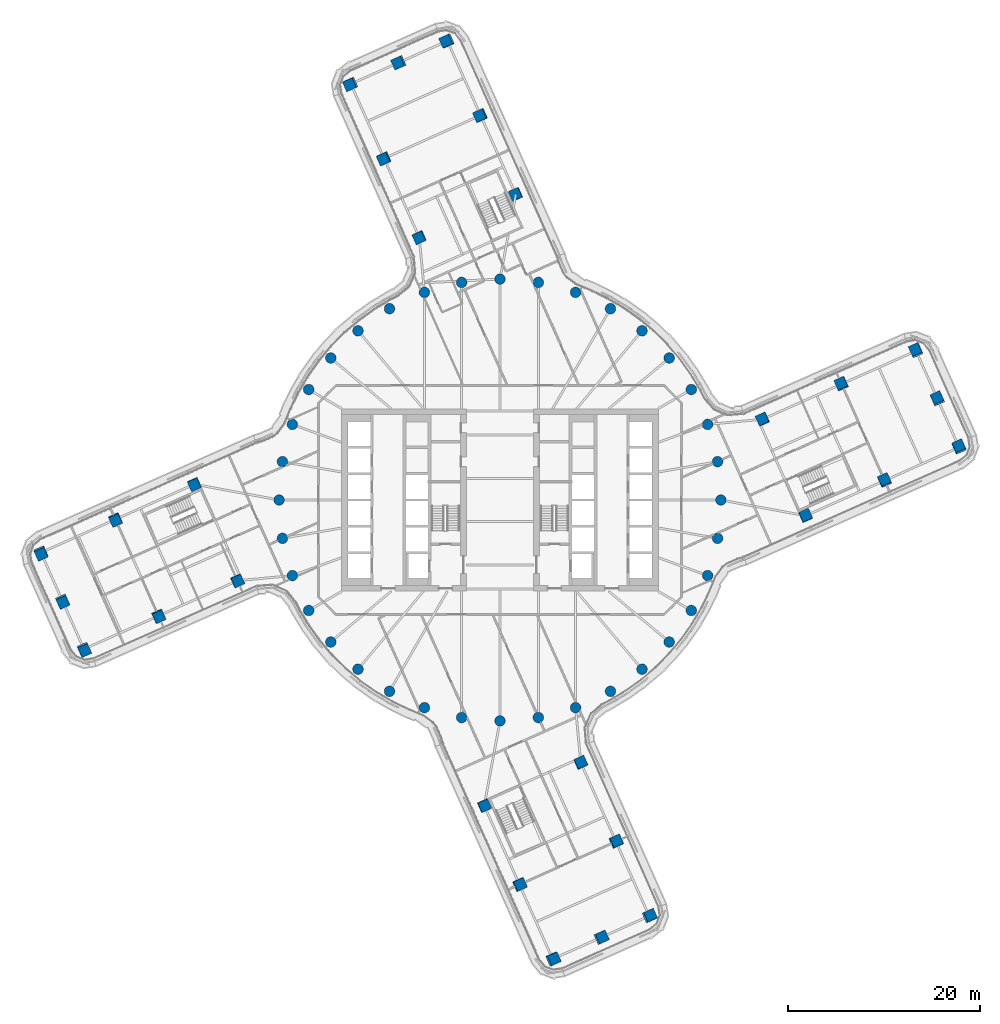
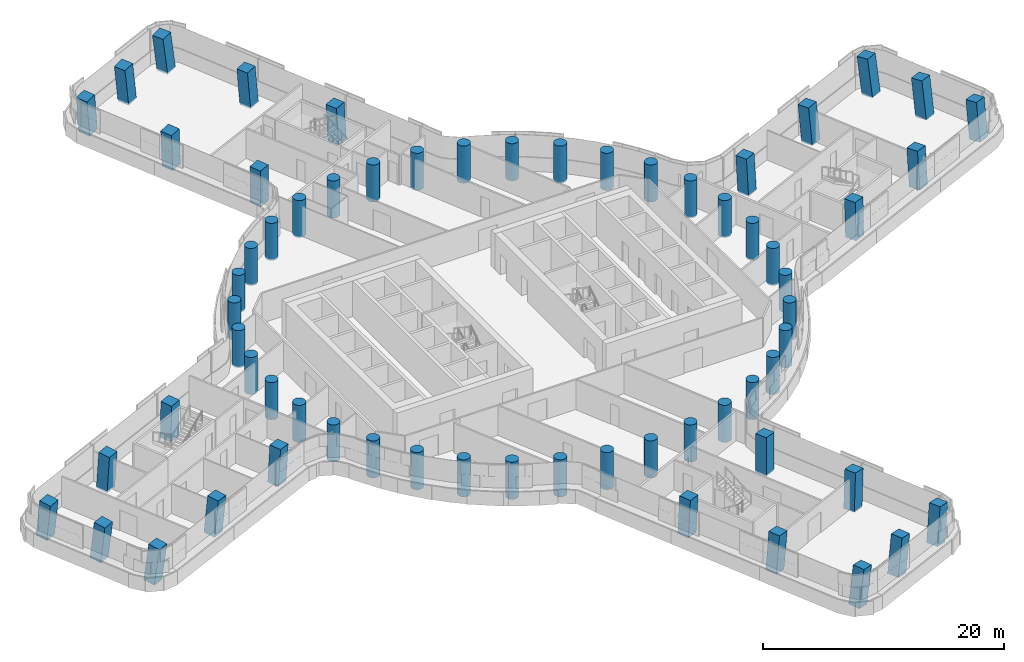
# One storey, part 1 of 35: 64 columns.
"""IFC4 building model written with IfcOpenShell, lengths in metres."""

from ifc_helpers import new_model, si_unit, direction, frame, origin, origin_2d, place, context, subcontext, project, spatial, rectangle, circle, extrude, material, material_profile, profile_set, type_object, element, save


model = new_model("IFC4")

# Units and contexts
model_context = context("Model", 3, precision=1e-05, world=origin(), true_north=direction((0.0, 1.0)))
body_context = subcontext(model_context, "Body", "Model", "MODEL_VIEW")
ifc_project = project(units=[si_unit("LENGTHUNIT", "METRE"), si_unit("AREAUNIT", "SQUARE_METRE"), si_unit("VOLUMEUNIT", "CUBIC_METRE"), si_unit("PLANEANGLEUNIT", "RADIAN"), si_unit("MASSUNIT", "GRAM", prefix="KILO")], contexts=[model_context])

# Site, building, storey
site_placement = place(None, origin())
site = spatial("IfcSite", under=ifc_project, at=site_placement, CompositionType="ELEMENT")
building_placement = place(site_placement, origin())
building = spatial("IfcBuilding", under=site, at=building_placement, Name="Tamarind Cross Interchange Tower", CompositionType="ELEMENT")
storey_placement = place(building_placement, frame((0.0, 0.0, 121.0)))
storey = spatial("IfcBuildingStorey", under=building, at=storey_placement, Name="L29", CompositionType="ELEMENT", Elevation=121.0)

# Columns
ifc_material = material(Name="Concrete C65", Category="concrete")
ifc_material_profile_1 = material_profile(ifc_material, rectangle(XDim=1.10009765625, YDim=1.10009765625, at=origin_2d()), Name="RC 1100x1100")
ifc_profile_set_1 = profile_set([ifc_material_profile_1], Name="Concrete C65")
column_type_1 = type_object("IfcColumnType", Name="Column RC 1100x1100 Concrete C65", PredefinedType="COLUMN", material=ifc_profile_set_1)
for number, where, z_axis, x_axis, name in (
    (1, (35.560791015625, 12.068359375, -0.138427734375), (-0.059065196945, 0.065166437068, 0.996124810448), (0.404734207537, -0.910607585336, 0.083570609535), "Column L29-036"),
    (2, (40.040283203125, 2.021728515625, -0.138427734375), (-0.010579821635, 0.087299755212, 0.996125905754), (-0.913512106157, -0.405987631448, 0.02587807982), "Column L29-037"),
):
    element("IfcColumn", number, at=place(storey_placement, frame(where, z_axis=z_axis, x_axis=x_axis)), inside=storey, type_object=column_type_1, Name=name, PredefinedType="COLUMN", context=body_context, shape_type="SweptSolid", body=[
        extrude(rectangle(XDim=1.10009765625, YDim=1.10009765625, at=origin_2d()), origin(), (0.0, 0.0, 1.0), 3.761474609375),
    ])
for number, where, z_axis, x_axis, name in (
    (3, (27.3408203125, 8.4033203125, -0.138671875), (-0.041062040178, 0.025574297607, 0.998829246748), (0.406417320659, -0.912808074719, 0.040079673119), "Column L29-038"),
    (4, (31.8203125, -1.643310546875, -0.138671875), (0.007548654001, 0.047764758938, 0.998830088467), (-0.913251168501, -0.40654439201, 0.026343131102), "Column L29-039"),
):
    element("IfcColumn", number, at=place(storey_placement, frame(where, z_axis=z_axis, x_axis=x_axis)), inside=storey, type_object=column_type_1, Name=name, PredefinedType="COLUMN", context=body_context, shape_type="SweptSolid", body=[
        extrude(rectangle(XDim=1.10009765625, YDim=1.10009765625, at=origin_2d()), origin(), (0.0, 0.0, 1.0), 3.751708984375),
    ])
column_1_placement = place(storey_placement, frame((47.7958984375, 5.479736328125, -0.138427734375), z_axis=(-0.017444836302, 0.128833346618, 0.99151280702), x_axis=(-0.913614720906, -0.404935626302, 0.036541487306)))
element("IfcColumn", 5, at=column_1_placement, inside=storey, type_object=column_type_1, Name="Column L29-040", PredefinedType="COLUMN", context=body_context, shape_type="SweptSolid", body=[
    extrude(rectangle(XDim=1.10009765625, YDim=1.10009765625, at=origin_2d()), origin(), (0.0, 0.0, 1.0), 3.778564453125),
])
column_2_placement = place(storey_placement, frame((45.55615234375, 10.5029296875, -0.138671875), z_axis=(-0.041633202385, 0.117917641539, 0.9921502438), x_axis=(-0.913389360247, -0.40696324454, 0.010039630549)))
element("IfcColumn", 6, at=column_2_placement, inside=storey, type_object=column_type_1, Name="Column L29-041", PredefinedType="COLUMN", context=body_context, shape_type="SweptSolid", body=[
    extrude(rectangle(XDim=1.10009765625, YDim=1.10009765625, at=origin_2d()), origin(), (0.0, 0.0, 1.0), 3.7763671875),
])
column_3_placement = place(storey_placement, frame((43.31640625, 15.5263671875, -0.138671875), z_axis=(-0.06573919426, 0.106850430789, 0.992099462644), x_axis=(0.403391226229, -0.906536741618, 0.124365005927)))
element("IfcColumn", 7, at=column_3_placement, inside=storey, type_object=column_type_1, Name="Column L29-042", PredefinedType="COLUMN", context=body_context, shape_type="SweptSolid", body=[
    extrude(rectangle(XDim=1.10009765625, YDim=1.10009765625, at=origin_2d()), origin(), (0.0, 0.0, 1.0), 3.77685546875),
])
for number, where, z_axis, x_axis, name in (
    (8, (-12.068359375, 35.560791015625, -0.138427734375), (-0.065166437068, -0.059065196945, 0.996124810448), (0.910607585336, 0.404734207537, 0.083570609535), "Column L29-043"),
    (9, (-2.021728515625, 40.040283203125, -0.138427734375), (-0.087299755212, -0.010579821635, 0.996125905754), (0.405987631448, -0.913512106157, 0.02587807982), "Column L29-044"),
):
    element("IfcColumn", number, at=place(storey_placement, frame(where, z_axis=z_axis, x_axis=x_axis)), inside=storey, type_object=column_type_1, Name=name, PredefinedType="COLUMN", context=body_context, shape_type="SweptSolid", body=[
        extrude(rectangle(XDim=1.10009765625, YDim=1.10009765625, at=origin_2d()), origin(), (0.0, 0.0, 1.0), 3.761474609375),
    ])
for number, where, z_axis, x_axis, name in (
    (10, (-8.4033203125, 27.3408203125, -0.138671875), (-0.025574297607, -0.041062040178, 0.998829246748), (0.912808074719, 0.406417320659, 0.040079673119), "Column L29-045"),
    (11, (1.643310546875, 31.8203125, -0.138671875), (-0.047764758938, 0.007548654001, 0.998830088467), (0.40654439201, -0.913251168501, 0.026343131102), "Column L29-046"),
):
    element("IfcColumn", number, at=place(storey_placement, frame(where, z_axis=z_axis, x_axis=x_axis)), inside=storey, type_object=column_type_1, Name=name, PredefinedType="COLUMN", context=body_context, shape_type="SweptSolid", body=[
        extrude(rectangle(XDim=1.10009765625, YDim=1.10009765625, at=origin_2d()), origin(), (0.0, 0.0, 1.0), 3.751708984375),
    ])
column_4_placement = place(storey_placement, frame((-5.479736328125, 47.7958984375, -0.138427734375), z_axis=(-0.128833346618, -0.017444836302, 0.99151280702), x_axis=(0.404935626302, -0.913614720906, 0.036541487306)))
element("IfcColumn", 12, at=column_4_placement, inside=storey, type_object=column_type_1, Name="Column L29-047", PredefinedType="COLUMN", context=body_context, shape_type="SweptSolid", body=[
    extrude(rectangle(XDim=1.10009765625, YDim=1.10009765625, at=origin_2d()), origin(), (0.0, 0.0, 1.0), 3.778564453125),
])
column_5_placement = place(storey_placement, frame((-10.5029296875, 45.55615234375, -0.138671875), z_axis=(-0.117917641539, -0.041633202385, 0.9921502438), x_axis=(0.40696324454, -0.913389360247, 0.010039630549)))
element("IfcColumn", 13, at=column_5_placement, inside=storey, type_object=column_type_1, Name="Column L29-048", PredefinedType="COLUMN", context=body_context, shape_type="SweptSolid", body=[
    extrude(rectangle(XDim=1.10009765625, YDim=1.10009765625, at=origin_2d()), origin(), (0.0, 0.0, 1.0), 3.7763671875),
])
column_6_placement = place(storey_placement, frame((-15.5263671875, 43.31640625, -0.138671875), z_axis=(-0.106850430789, -0.06573919426, 0.992099462644), x_axis=(0.906536741618, 0.403391226229, 0.124365005927)))
element("IfcColumn", 14, at=column_6_placement, inside=storey, type_object=column_type_1, Name="Column L29-049", PredefinedType="COLUMN", context=body_context, shape_type="SweptSolid", body=[
    extrude(rectangle(XDim=1.10009765625, YDim=1.10009765625, at=origin_2d()), origin(), (0.0, 0.0, 1.0), 3.77685546875),
])
for number, where, z_axis, x_axis, name in (
    (15, (-35.560791015625, -12.068359375, -0.138427734375), (0.059065196945, -0.065166437068, 0.996124810448), (-0.404734207537, 0.910607585336, 0.083570609535), "Column L29-050"),
    (16, (-40.040283203125, -2.021728515625, -0.138427734375), (0.010579821635, -0.087299755212, 0.996125905754), (0.913512106157, 0.405987631448, 0.02587807982), "Column L29-051"),
):
    element("IfcColumn", number, at=place(storey_placement, frame(where, z_axis=z_axis, x_axis=x_axis)), inside=storey, type_object=column_type_1, Name=name, PredefinedType="COLUMN", context=body_context, shape_type="SweptSolid", body=[
        extrude(rectangle(XDim=1.10009765625, YDim=1.10009765625, at=origin_2d()), origin(), (0.0, 0.0, 1.0), 3.761474609375),
    ])
for number, where, z_axis, x_axis, name in (
    (17, (-27.3408203125, -8.4033203125, -0.138671875), (0.041062040178, -0.025574297607, 0.998829246748), (-0.406417320659, 0.912808074719, 0.040079673119), "Column L29-052"),
    (18, (-31.8203125, 1.643310546875, -0.138671875), (-0.007548654001, -0.047764758938, 0.998830088467), (0.913251168501, 0.40654439201, 0.026343131102), "Column L29-053"),
):
    element("IfcColumn", number, at=place(storey_placement, frame(where, z_axis=z_axis, x_axis=x_axis)), inside=storey, type_object=column_type_1, Name=name, PredefinedType="COLUMN", context=body_context, shape_type="SweptSolid", body=[
        extrude(rectangle(XDim=1.10009765625, YDim=1.10009765625, at=origin_2d()), origin(), (0.0, 0.0, 1.0), 3.751708984375),
    ])
column_7_placement = place(storey_placement, frame((-47.7958984375, -5.479736328125, -0.138427734375), z_axis=(0.017444836302, -0.128833346618, 0.99151280702), x_axis=(0.913614720906, 0.404935626302, 0.036541487306)))
element("IfcColumn", 19, at=column_7_placement, inside=storey, type_object=column_type_1, Name="Column L29-054", PredefinedType="COLUMN", context=body_context, shape_type="SweptSolid", body=[
    extrude(rectangle(XDim=1.10009765625, YDim=1.10009765625, at=origin_2d()), origin(), (0.0, 0.0, 1.0), 3.778564453125),
])
column_8_placement = place(storey_placement, frame((-45.55615234375, -10.5029296875, -0.138671875), z_axis=(0.041633202385, -0.117917641539, 0.9921502438), x_axis=(0.913389360247, 0.40696324454, 0.010039630549)))
element("IfcColumn", 20, at=column_8_placement, inside=storey, type_object=column_type_1, Name="Column L29-055", PredefinedType="COLUMN", context=body_context, shape_type="SweptSolid", body=[
    extrude(rectangle(XDim=1.10009765625, YDim=1.10009765625, at=origin_2d()), origin(), (0.0, 0.0, 1.0), 3.7763671875),
])
column_9_placement = place(storey_placement, frame((-43.31640625, -15.5263671875, -0.138671875), z_axis=(0.06573919426, -0.106850430789, 0.992099462644), x_axis=(-0.403391226229, 0.906536741618, 0.124365005927)))
element("IfcColumn", 21, at=column_9_placement, inside=storey, type_object=column_type_1, Name="Column L29-056", PredefinedType="COLUMN", context=body_context, shape_type="SweptSolid", body=[
    extrude(rectangle(XDim=1.10009765625, YDim=1.10009765625, at=origin_2d()), origin(), (0.0, 0.0, 1.0), 3.77685546875),
])
for number, where, z_axis, x_axis, name in (
    (22, (12.068359375, -35.560791015625, -0.138427734375), (0.065166437068, 0.059065196945, 0.996124810448), (-0.910607585336, -0.404734207537, 0.083570609535), "Column L29-057"),
    (23, (2.021728515625, -40.040283203125, -0.138427734375), (0.087299755212, 0.010579821635, 0.996125905754), (-0.405987631448, 0.913512106157, 0.02587807982), "Column L29-058"),
):
    element("IfcColumn", number, at=place(storey_placement, frame(where, z_axis=z_axis, x_axis=x_axis)), inside=storey, type_object=column_type_1, Name=name, PredefinedType="COLUMN", context=body_context, shape_type="SweptSolid", body=[
        extrude(rectangle(XDim=1.10009765625, YDim=1.10009765625, at=origin_2d()), origin(), (0.0, 0.0, 1.0), 3.761474609375),
    ])
for number, where, z_axis, x_axis, name in (
    (24, (8.4033203125, -27.3408203125, -0.138671875), (0.025574297607, 0.041062040178, 0.998829246748), (-0.912808074719, -0.406417320659, 0.040079673119), "Column L29-059"),
    (25, (-1.643310546875, -31.8203125, -0.138671875), (0.047764758938, -0.007548654001, 0.998830088467), (-0.40654439201, 0.913251168501, 0.026343131102), "Column L29-060"),
):
    element("IfcColumn", number, at=place(storey_placement, frame(where, z_axis=z_axis, x_axis=x_axis)), inside=storey, type_object=column_type_1, Name=name, PredefinedType="COLUMN", context=body_context, shape_type="SweptSolid", body=[
        extrude(rectangle(XDim=1.10009765625, YDim=1.10009765625, at=origin_2d()), origin(), (0.0, 0.0, 1.0), 3.751708984375),
    ])
column_10_placement = place(storey_placement, frame((5.479736328125, -47.7958984375, -0.138427734375), z_axis=(0.128833346618, 0.017444836302, 0.99151280702), x_axis=(-0.404935626302, 0.913614720906, 0.036541487306)))
element("IfcColumn", 26, at=column_10_placement, inside=storey, type_object=column_type_1, Name="Column L29-061", PredefinedType="COLUMN", context=body_context, shape_type="SweptSolid", body=[
    extrude(rectangle(XDim=1.10009765625, YDim=1.10009765625, at=origin_2d()), origin(), (0.0, 0.0, 1.0), 3.778564453125),
])
column_11_placement = place(storey_placement, frame((10.5029296875, -45.55615234375, -0.138671875), z_axis=(0.117917641539, 0.041633202385, 0.9921502438), x_axis=(-0.40696324454, 0.913389360247, 0.010039630549)))
element("IfcColumn", 27, at=column_11_placement, inside=storey, type_object=column_type_1, Name="Column L29-062", PredefinedType="COLUMN", context=body_context, shape_type="SweptSolid", body=[
    extrude(rectangle(XDim=1.10009765625, YDim=1.10009765625, at=origin_2d()), origin(), (0.0, 0.0, 1.0), 3.7763671875),
])
column_12_placement = place(storey_placement, frame((15.5263671875, -43.31640625, -0.138671875), z_axis=(0.106850430789, 0.06573919426, 0.992099462644), x_axis=(-0.906536741618, -0.403391226229, 0.124365005927)))
element("IfcColumn", 28, at=column_12_placement, inside=storey, type_object=column_type_1, Name="Column L29-063", PredefinedType="COLUMN", context=body_context, shape_type="SweptSolid", body=[
    extrude(rectangle(XDim=1.10009765625, YDim=1.10009765625, at=origin_2d()), origin(), (0.0, 0.0, 1.0), 3.77685546875),
])
ifc_material_profile_2 = material_profile(ifc_material, circle(Radius=0.550048828125, at=origin_2d()), Name="RC D1100")
ifc_profile_set_2 = profile_set([ifc_material_profile_2], Name="Concrete C65")
column_type_2 = type_object("IfcColumnType", Name="Column RC D1100 Concrete C65", PredefinedType="COLUMN", material=ifc_profile_set_2)
for number, where, z_axis, x_axis, name in (
    (29, (23.0, 0.0, -0.139892578125), (0.0, 0.0, 1.0), (1.0, 0.0, 0.0), "Column L29-000"),
    (30, (22.650634765625, 3.993896484375, -0.139892578125), (0.0, 0.0, 1.0), (1.0, 0.0, 0.0), "Column L29-001"),
    (31, (21.613037109375, 7.866455078125, -0.139892578125), (0.0, 0.0, 1.0), (1.0, 0.0, 0.0), "Column L29-002"),
    (32, (19.918701171875, 11.5, -0.139892578125), (0.0, 0.0, 1.0), (1.0, 0.0, 0.0), "Column L29-003"),
    (33, (17.619140625, 14.7841796875, -0.139892578125), (0.0, 0.0, 1.0), (1.0, 0.0, 0.0), "Column L29-004"),
    (34, (14.7841796875, 17.619140625, -0.139892578125), (0.0, 0.0, 1.0), (1.0, 0.0, 0.0), "Column L29-005"),
    (35, (11.5, 19.918701171875, -0.139892578125), (0.0, 0.0, 1.0), (1.0, 0.0, 0.0), "Column L29-006"),
    (36, (7.866455078125, 21.613037109375, -0.139892578125), (0.0, 0.0, 1.0), (1.0, 0.0, 0.0), "Column L29-007"),
    (37, (3.993896484375, 22.650634765625, -0.139892578125), (0.0, 0.0, 1.0), (1.0, 0.0, 0.0), "Column L29-008"),
    (38, (0.0, 23.0, -0.139892578125), (0.0, 0.0, 1.0), (1.0, 0.0, 0.0), "Column L29-009"),
    (39, (-3.993896484375, 22.650634765625, -0.139892578125), (0.0, 0.0, 1.0), (1.0, 0.0, 0.0), "Column L29-010"),
    (40, (-7.866455078125, 21.613037109375, -0.139892578125), (0.0, 0.0, 1.0), (1.0, 0.0, 0.0), "Column L29-011"),
    (41, (-11.5, 19.918701171875, -0.139892578125), (0.0, 0.0, 1.0), (1.0, 0.0, 0.0), "Column L29-012"),
    (42, (-14.7841796875, 17.619140625, -0.139892578125), (0.0, 0.0, 1.0), (1.0, 0.0, 0.0), "Column L29-013"),
    (43, (-17.619140625, 14.7841796875, -0.139892578125), (0.0, 0.0, 1.0), (1.0, 0.0, 0.0), "Column L29-014"),
    (44, (-19.918701171875, 11.5, -0.139892578125), (0.0, 0.0, 1.0), (1.0, 0.0, 0.0), "Column L29-015"),
    (45, (-21.613037109375, 7.866455078125, -0.139892578125), (0.0, 0.0, 1.0), (1.0, 0.0, 0.0), "Column L29-016"),
    (46, (-22.650634765625, 3.993896484375, -0.139892578125), (0.0, 0.0, 1.0), (1.0, 0.0, 0.0), "Column L29-017"),
    (47, (-23.0, 0.0, -0.139892578125), (0.0, 0.0, 1.0), (1.0, 0.0, 0.0), "Column L29-018"),
    (48, (-22.650634765625, -3.993896484375, -0.139892578125), (0.0, 0.0, 1.0), (1.0, 0.0, 0.0), "Column L29-019"),
    (49, (-21.613037109375, -7.866455078125, -0.139892578125), (0.0, 0.0, 1.0), (1.0, 0.0, 0.0), "Column L29-020"),
    (50, (-19.918701171875, -11.5, -0.139892578125), (0.0, 0.0, 1.0), (1.0, 0.0, 0.0), "Column L29-021"),
    (51, (-17.619140625, -14.7841796875, -0.139892578125), (0.0, 0.0, 1.0), (1.0, 0.0, 0.0), "Column L29-022"),
    (52, (-14.7841796875, -17.619140625, -0.139892578125), (0.0, 0.0, 1.0), (1.0, 0.0, 0.0), "Column L29-023"),
    (53, (-11.5, -19.918701171875, -0.139892578125), (0.0, 0.0, 1.0), (1.0, 0.0, 0.0), "Column L29-024"),
    (54, (-7.866455078125, -21.613037109375, -0.139892578125), (0.0, 0.0, 1.0), (1.0, 0.0, 0.0), "Column L29-025"),
    (55, (-3.993896484375, -22.650634765625, -0.139892578125), (0.0, 0.0, 1.0), (1.0, 0.0, 0.0), "Column L29-026"),
    (56, (0.0, -23.0, -0.139892578125), (0.0, 0.0, 1.0), (1.0, 0.0, 0.0), "Column L29-027"),
    (57, (3.993896484375, -22.650634765625, -0.139892578125), (0.0, 0.0, 1.0), (1.0, 0.0, 0.0), "Column L29-028"),
    (58, (7.866455078125, -21.613037109375, -0.139892578125), (0.0, 0.0, 1.0), (1.0, 0.0, 0.0), "Column L29-029"),
    (59, (11.5, -19.918701171875, -0.139892578125), (0.0, 0.0, 1.0), (1.0, 0.0, 0.0), "Column L29-030"),
    (60, (14.7841796875, -17.619140625, -0.139892578125), (0.0, 0.0, 1.0), (1.0, 0.0, 0.0), "Column L29-031"),
    (61, (17.619140625, -14.7841796875, -0.139892578125), (0.0, 0.0, 1.0), (1.0, 0.0, 0.0), "Column L29-032"),
    (62, (19.918701171875, -11.5, -0.139892578125), (0.0, 0.0, 1.0), (1.0, 0.0, 0.0), "Column L29-033"),
    (63, (21.613037109375, -7.866455078125, -0.139892578125), (0.0, 0.0, 1.0), (1.0, 0.0, 0.0), "Column L29-034"),
    (64, (22.650634765625, -3.993896484375, -0.139892578125), (0.0, 0.0, 1.0), (1.0, 0.0, 0.0), "Column L29-035"),
):
    element("IfcColumn", number, at=place(storey_placement, frame(where, z_axis=z_axis, x_axis=x_axis)), inside=storey, type_object=column_type_2, Name=name, PredefinedType="COLUMN", context=body_context, shape_type="SweptSolid", body=[
        extrude(circle(Radius=0.550048828125, at=origin_2d()), origin(), (0.0, 0.0, 1.0), 3.75),
    ])

save(model, "model.ifc")
